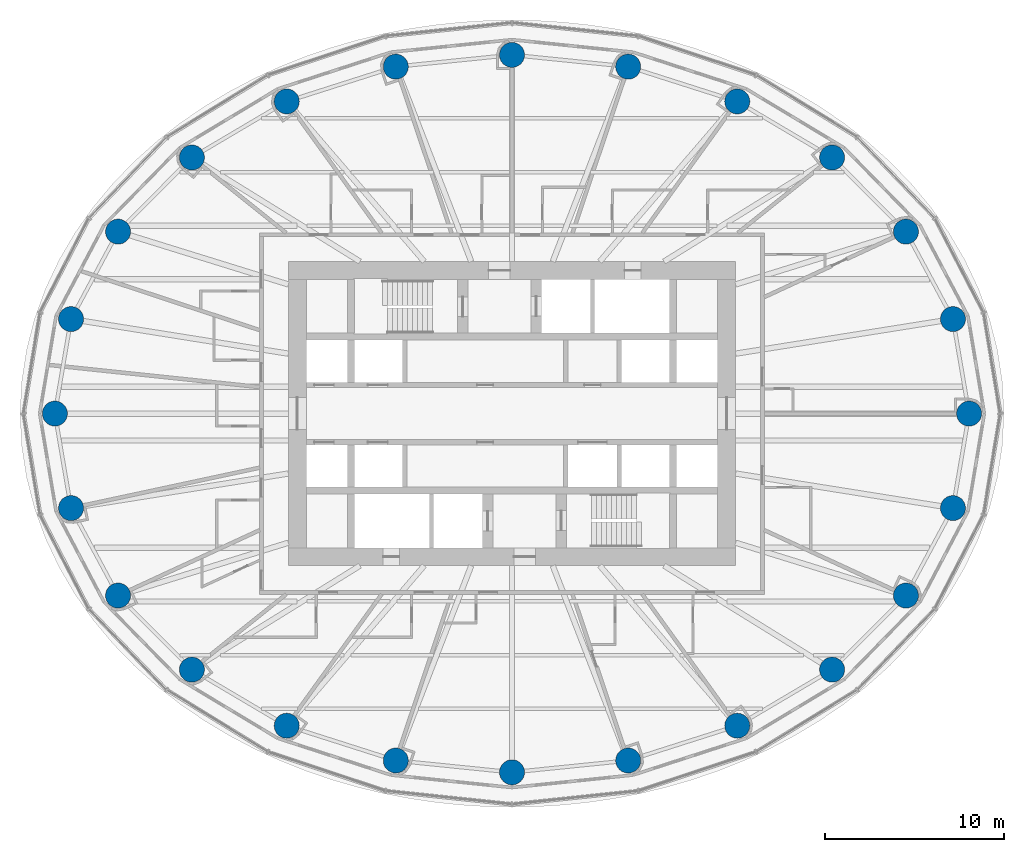
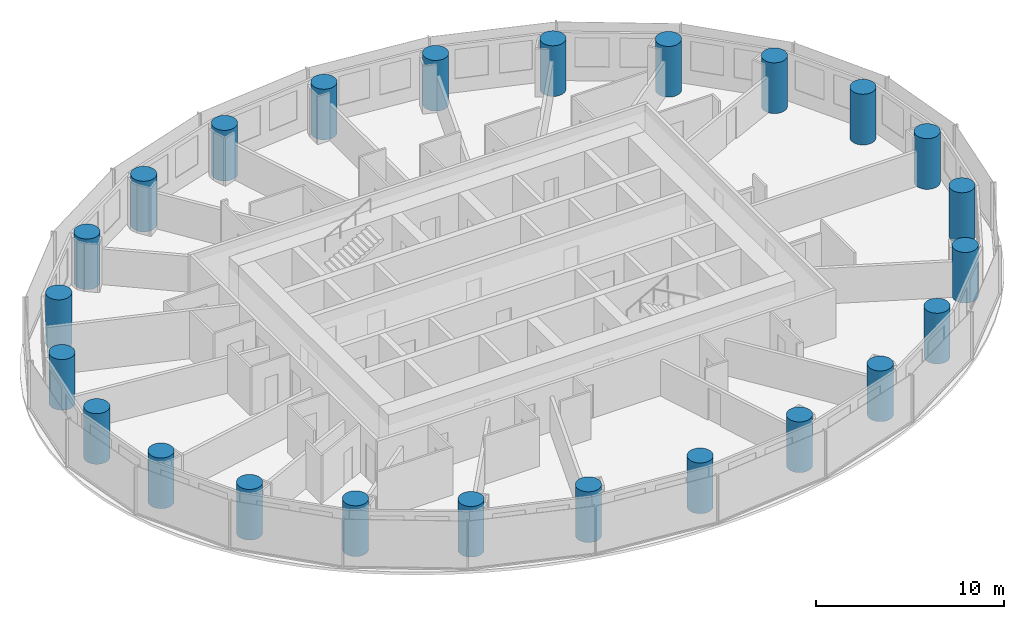
# One storey, part 1 of 13: 24 columns.
"""IFC4 building model written with IfcOpenShell, lengths in metres."""

from ifc_helpers import new_model, si_unit, direction, frame, origin, origin_2d, place, context, subcontext, project, spatial, circle, extrude, material, material_profile, profile_set, type_object, element, save


model = new_model("IFC4")

# Units and contexts
model_context = context("Model", 3, precision=1e-05, world=origin(), true_north=direction((0.0, 1.0)))
body_context = subcontext(model_context, "Body", "Model", "MODEL_VIEW")
ifc_project = project(units=[si_unit("LENGTHUNIT", "METRE"), si_unit("AREAUNIT", "SQUARE_METRE"), si_unit("VOLUMEUNIT", "CUBIC_METRE"), si_unit("PLANEANGLEUNIT", "RADIAN"), si_unit("MASSUNIT", "GRAM", prefix="KILO")], contexts=[model_context])

# Site, building, storey
site_placement = place(None, origin())
site = spatial("IfcSite", under=ifc_project, at=site_placement, CompositionType="ELEMENT")
building_placement = place(site_placement, origin())
building = spatial("IfcBuilding", under=site, at=building_placement, Name="Hankou Lantern Tower", CompositionType="ELEMENT")
storey_placement = place(building_placement, frame((0.0, 0.0, 80.39990234375)))
storey = spatial("IfcBuildingStorey", under=building, at=storey_placement, Name="L20", CompositionType="ELEMENT", Elevation=80.39990234375)

# Columns
ifc_material = material(Name="Concrete C60", Category="concrete")
ifc_material_profile = material_profile(ifc_material, circle(Radius=0.699951171875, at=origin_2d()), Name="RC D1400")
ifc_profile_set = profile_set([ifc_material_profile], Name="Concrete C60")
column_type = type_object("IfcColumnType", Name="TC2 PERIMETER COLUMN RC D1400", PredefinedType="COLUMN", material=ifc_profile_set)
for number, where, z_axis, x_axis, name in (
    (1, (25.550048828125, 0.0, 0.0), (0.0, 0.0, 1.0), (1.0, 0.0, 0.0), "Column R01 L20"),
    (2, (24.64697265625, 5.283203125, 0.0), (0.0, 0.0, 1.0), (1.0, 0.0, 0.0), "Column R02 L20"),
    (3, (22.01904296875, 10.170166015625, 0.0), (0.0, 0.0, 1.0), (1.0, 0.0, 0.0), "Column R03 L20"),
    (4, (17.891845703125, 14.3134765625, 0.0), (0.0, 0.0, 1.0), (1.0, 0.0, 0.0), "Column R04 L20"),
    (5, (12.5908203125, 17.446533203125, 0.0), (0.0, 0.0, 1.0), (1.0, 0.0, 0.0), "Column R05 L20"),
    (6, (6.494873046875, 19.391357421875, 0.0), (0.0, 0.0, 1.0), (1.0, 0.0, 0.0), "Column R06 L20"),
    (7, (0.0, 20.050048828125, 0.0), (0.0, 0.0, 1.0), (1.0, 0.0, 0.0), "Column R07 L20"),
    (8, (-6.494873046875, 19.391357421875, 0.0), (0.0, 0.0, 1.0), (1.0, 0.0, 0.0), "Column R08 L20"),
    (9, (-12.5908203125, 17.446533203125, 0.0), (0.0, 0.0, 1.0), (1.0, 0.0, 0.0), "Column R09 L20"),
    (10, (-17.891845703125, 14.3134765625, 0.0), (0.0, 0.0, 1.0), (1.0, 0.0, 0.0), "Column R10 L20"),
    (11, (-22.01904296875, 10.170166015625, 0.0), (0.0, 0.0, 1.0), (1.0, 0.0, 0.0), "Column R11 L20"),
    (12, (-24.64697265625, 5.283203125, 0.0), (0.0, 0.0, 1.0), (1.0, 0.0, 0.0), "Column R12 L20"),
    (13, (-25.550048828125, 0.0, 0.0), (0.0, 0.0, 1.0), (1.0, 0.0, 0.0), "Column R13 L20"),
    (14, (-24.64697265625, -5.283203125, 0.0), (0.0, 0.0, 1.0), (1.0, 0.0, 0.0), "Column R14 L20"),
    (15, (-22.01904296875, -10.170166015625, 0.0), (0.0, 0.0, 1.0), (1.0, 0.0, 0.0), "Column R15 L20"),
    (16, (-17.891845703125, -14.3134765625, 0.0), (0.0, 0.0, 1.0), (1.0, 0.0, 0.0), "Column R16 L20"),
    (17, (-12.5908203125, -17.446533203125, 0.0), (0.0, 0.0, 1.0), (1.0, 0.0, 0.0), "Column R17 L20"),
    (18, (-6.494873046875, -19.391357421875, 0.0), (0.0, 0.0, 1.0), (1.0, 0.0, 0.0), "Column R18 L20"),
    (19, (0.0, -20.050048828125, 0.0), (0.0, 0.0, 1.0), (1.0, 0.0, 0.0), "Column R19 L20"),
    (20, (6.494873046875, -19.391357421875, 0.0), (0.0, 0.0, 1.0), (1.0, 0.0, 0.0), "Column R20 L20"),
    (21, (12.5908203125, -17.446533203125, 0.0), (0.0, 0.0, 1.0), (1.0, 0.0, 0.0), "Column R21 L20"),
    (22, (17.891845703125, -14.3134765625, 0.0), (0.0, 0.0, 1.0), (1.0, 0.0, 0.0), "Column R22 L20"),
    (23, (22.01904296875, -10.170166015625, 0.0), (0.0, 0.0, 1.0), (1.0, 0.0, 0.0), "Column R23 L20"),
    (24, (24.64697265625, -5.283203125, 0.0), (0.0, 0.0, 1.0), (1.0, 0.0, 0.0), "Column R24 L20"),
):
    element("IfcColumn", number, at=place(storey_placement, frame(where, z_axis=z_axis, x_axis=x_axis)), inside=storey, type_object=column_type, Name=name, PredefinedType="COLUMN", context=body_context, shape_type="SweptSolid", body=[
        extrude(circle(Radius=0.699951171875, at=origin_2d()), origin(), (0.0, 0.0, 1.0), 3.300048828125),
    ])

save(model, "model.ifc")
